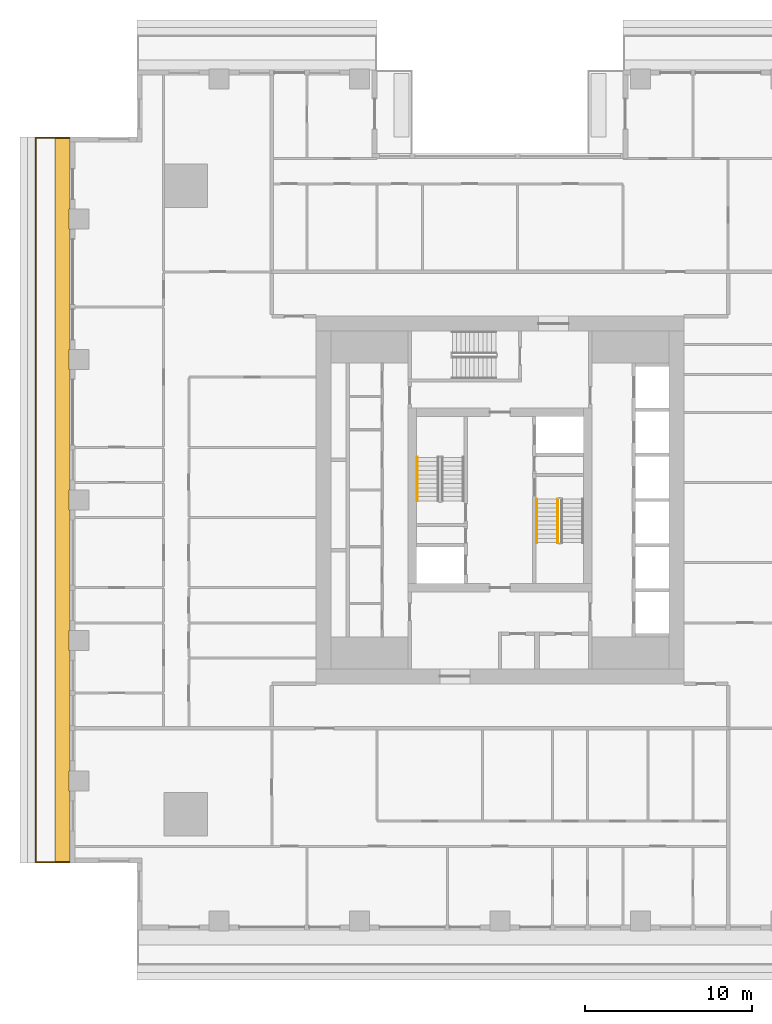
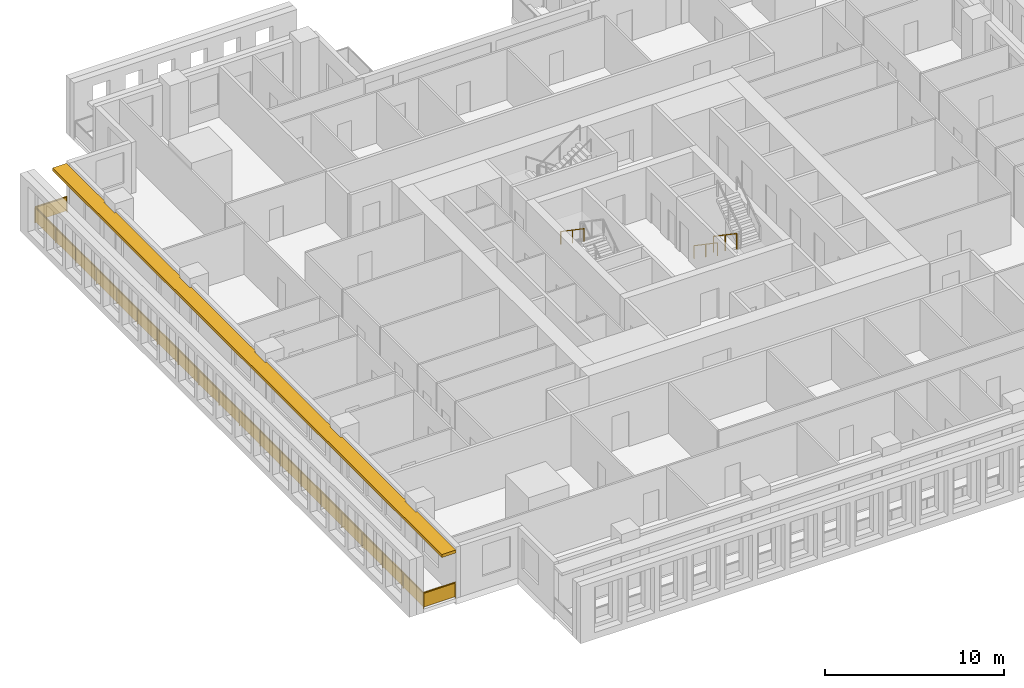
# One storey, part 12 of 16: 4 railings, 1 shading device.
"""IFC4 building model written with IfcOpenShell, lengths in metres."""

import ifcopenshell
import ifcopenshell.guid

model = None  # the IFC model being written
_history = None  # IfcOwnerHistory: only IFC2X3 demands one
_inside = {}  # id of a spatial element -> (the spatial element, [elements in it])
_under = {}  # id of a project, library or spatial element -> (it, [spatial elements below it])
_declared = {}  # id of a project -> (the project, [libraries it declares])
_typed = {}  # id of a type object -> (the type object, [elements of that type])
_made_of = {}  # id of a material, layer set ... -> (it, [elements and type objects made of it])


def new_model(schema):
    """Start an empty IFC model of exactly this schema.

    Asked for "IFC4X3", IfcOpenShell would pick the latest addendum, in which some entities
    have other attributes; the version numbers below select the first issue.
    IFC2X3 requires an IfcOwnerHistory on every rooted entity: one is made here for all.
    """
    global model, _history
    if schema == "IFC4X3":
        model = ifcopenshell.file(schema_version=(4, 3, 0, 0))
    else:
        model = ifcopenshell.file(schema=schema)
    _inside.clear()
    _under.clear()
    _declared.clear()
    _typed.clear()
    _made_of.clear()
    _history = None
    if model.schema == "IFC2X3":
        org = make("IfcOrganization", Name="unknown")
        user = make(
            "IfcPersonAndOrganization",
            ThePerson=make("IfcPerson", FamilyName="unknown"),
            TheOrganization=org,
        )
        app = make(
            "IfcApplication",
            ApplicationDeveloper=org,
            Version="unknown",
            ApplicationFullName="unknown",
            ApplicationIdentifier="unknown",
        )
        _history = make(
            "IfcOwnerHistory",
            OwningUser=user,
            OwningApplication=app,
            ChangeAction="ADDED",
            CreationDate=0,
        )
    return model


def make(cls, **values):
    """One entity of the class cls with the attributes given. An attribute that is None is left unset."""
    return model.create_entity(
        cls, **{name: value for name, value in values.items() if value is not None}
    )


def rooted(cls, **values):
    """An entity with a GlobalId (a new one), such as an element, a storey or a relation."""
    return make(cls, GlobalId=ifcopenshell.guid.new(), OwnerHistory=_history, **values)


def si_unit(unit_type, name, prefix=None):
    """IfcSIUnit, for example si_unit("LENGTHUNIT", "METRE", prefix="MILLI")."""
    return make("IfcSIUnit", UnitType=unit_type, Prefix=prefix, Name=name)


def assignment(units):
    """IfcUnitAssignment: the units of a project."""
    return None if units is None else make("IfcUnitAssignment", Units=units)


def point(xyz):
    """IfcCartesianPoint."""
    return None if xyz is None else make("IfcCartesianPoint", Coordinates=xyz)


def direction(xyz):
    """IfcDirection."""
    return None if xyz is None else make("IfcDirection", DirectionRatios=xyz)


def frame(location, z_axis=None, x_axis=None):
    """IfcAxis2Placement3D, a coordinate frame: its origin and axes. An axis left out is left unset."""
    return make(
        "IfcAxis2Placement3D",
        Location=point(location),
        Axis=direction(z_axis),
        RefDirection=direction(x_axis),
    )


def frame_2d(location, x_axis=None):
    """IfcAxis2Placement2D, a coordinate frame in the plane: its origin and x axis."""
    return make(
        "IfcAxis2Placement2D", Location=point(location), RefDirection=direction(x_axis)
    )


def origin():
    """The frame at (0, 0, 0) with its axes left unset."""
    return frame((0.0, 0.0, 0.0))


def origin_2d():
    """The frame at (0, 0) in the plane with its x axis left unset."""
    return frame_2d((0.0, 0.0))


def place(relative_to, where):
    """IfcLocalPlacement: puts the frame where relative to a parent placement (None: the world)."""
    return make(
        "IfcLocalPlacement", PlacementRelTo=relative_to, RelativePlacement=where
    )


def context(
    kind, dimensions, precision=None, world=None, true_north=None, identifier=None
):
    """IfcGeometricRepresentationContext, for example the 3D "Model" context."""
    return make(
        "IfcGeometricRepresentationContext",
        ContextIdentifier=identifier,
        ContextType=kind,
        CoordinateSpaceDimension=dimensions,
        Precision=precision,
        WorldCoordinateSystem=world,
        TrueNorth=true_north,
    )


def subcontext(parent, identifier, kind, view, scale=None):
    """IfcGeometricRepresentationSubContext, for example "Body" below "Model"."""
    return make(
        "IfcGeometricRepresentationSubContext",
        ContextIdentifier=identifier,
        ContextType=kind,
        ParentContext=parent,
        TargetScale=scale,
        TargetView=view,
    )


def project(units=None, contexts=None):
    """IfcProject with its units and contexts."""
    return rooted(
        "IfcProject",
        Name="project",
        RepresentationContexts=contexts,
        UnitsInContext=assignment(units),
    )


def spatial(cls, under=None, at=None, **own):
    """A site, building, storey or space (cls), placed at a placement, below another one or the project."""
    s = rooted(cls, ObjectPlacement=at, **own)
    if under is not None:
        _under.setdefault(under.id(), (under, []))[1].append(s)
    return s


def polyline(points):
    """IfcPolyline through the points."""
    return make("IfcPolyline", Points=[point(p) for p in points])


def profile(cls, at=None, kind="AREA", **sizes):
    """A parametric profile (cls). Its sizes go by their IFC names, for example OverallWidth=200.0."""
    return make(cls, ProfileType=kind, Position=at, **sizes)


def rectangle(**sizes):
    """IfcRectangleProfileDef."""
    return profile("IfcRectangleProfileDef", **sizes)


def outline(outer, holes=None, kind="AREA"):
    """IfcArbitraryClosedProfileDef: a profile drawn as a closed curve; with holes, ...WithVoids."""
    if holes is None:
        return make("IfcArbitraryClosedProfileDef", ProfileType=kind, OuterCurve=outer)
    return make(
        "IfcArbitraryProfileDefWithVoids",
        ProfileType=kind,
        OuterCurve=outer,
        InnerCurves=holes,
    )


def extrude(swept, where, along, depth):
    """IfcExtrudedAreaSolid: the profile swept, set in the frame where, extruded along a direction by depth."""
    return make(
        "IfcExtrudedAreaSolid",
        SweptArea=swept,
        Position=where,
        ExtrudedDirection=direction(along),
        Depth=depth,
    )


def shape(context_of_items, identifier, shape_type, items):
    """IfcShapeRepresentation: the items that make up one representation, for example the "Body"."""
    return make(
        "IfcShapeRepresentation",
        ContextOfItems=context_of_items,
        RepresentationIdentifier=identifier,
        RepresentationType=shape_type,
        Items=items,
    )


def material(Name=None, Category=None):
    """IfcMaterial."""
    return make("IfcMaterial", Name=Name, Category=Category)


def layer(
    of_material, thickness, ventilated=None, Name=None, Category=None, Priority=None
):
    """IfcMaterialLayer: one layer of a wall or slab, of a material (None: an air gap)."""
    return make(
        "IfcMaterialLayer",
        Material=of_material,
        LayerThickness=thickness,
        IsVentilated=ventilated,
        Name=Name,
        Category=Category,
        Priority=Priority,
    )


def layer_set(layers, Name=None):
    """IfcMaterialLayerSet."""
    return make("IfcMaterialLayerSet", MaterialLayers=layers, LayerSetName=Name)


def made_of(thing, what):
    """Note that an element or type object is made of a material, layer set ...; save() writes the relation."""
    if what is not None:
        _made_of.setdefault(what.id(), (what, []))[1].append(thing)
    return thing


def type_object(cls, material=None, **own):
    """A type object (cls), such as IfcWallType, which elements share."""
    return made_of(rooted(cls, **own), material)


def element(
    cls,
    number,
    at=None,
    inside=None,
    cuts=None,
    type_object=None,
    material=None,
    context=None,
    identifier="Body",
    shape_type=None,
    held_by="IfcProductDefinitionShape",
    body=None,
    shapes=None,
    **own,
):
    """One element of the class cls, such as IfcWall. Its Tag is "e" and its number.

    at: its placement. inside: the storey or other place that contains it. cuts: it is an
    opening in that element (IfcRelVoidsElement). A single representation is given by context,
    identifier, shape_type and body (its items); several are given by shapes. held_by: the class
    of the entity that holds the representations. save() writes the other relations.
    """
    e = rooted(cls, Tag="e%d" % number, ObjectPlacement=at, **own)
    if body is not None:
        shapes = [shape(context, identifier, shape_type, body)]
    if shapes is not None:
        e.Representation = make(held_by, Representations=shapes)
    if inside is not None:
        _inside.setdefault(inside.id(), (inside, []))[1].append(e)
    if cuts is not None:
        rooted(
            "IfcRelVoidsElement", RelatingBuildingElement=cuts, RelatedOpeningElement=e
        )
    if type_object is not None:
        _typed.setdefault(type_object.id(), (type_object, []))[1].append(e)
    return made_of(e, material)


def aggregate(whole, parts):
    """IfcRelAggregates: a whole, such as a stair, and the parts it consists of."""
    return rooted("IfcRelAggregates", RelatingObject=whole, RelatedObjects=parts)


def save(model, path):
    """Write the relations noted so far, then the file.

    IfcRelAggregates (storeys below a building ...), IfcRelContainedInSpatialStructure (elements
    in a storey), IfcRelDefinesByType, IfcRelAssociatesMaterial and IfcRelDeclares: one each for
    every whole, place, type object, material and project.
    """
    for whole, parts in _under.values():
        aggregate(whole, parts)
    for where, things in _inside.values():
        rooted(
            "IfcRelContainedInSpatialStructure",
            RelatedElements=things,
            RelatingStructure=where,
        )
    for kind, things in _typed.values():
        rooted("IfcRelDefinesByType", RelatedObjects=things, RelatingType=kind)
    for what, things in _made_of.values():
        rooted("IfcRelAssociatesMaterial", RelatedObjects=things, RelatingMaterial=what)
    for by, libraries in _declared.values():
        rooted("IfcRelDeclares", RelatingContext=by, RelatedDefinitions=libraries)
    model.write(path)


model = new_model("IFC4")

# Units and contexts
model_context = context("Model", 3, precision=1e-05, world=origin(), true_north=direction((0.0, 1.0)))
body_context = subcontext(model_context, "Body", "Model", "MODEL_VIEW")
ifc_project = project(units=[si_unit("LENGTHUNIT", "METRE"), si_unit("AREAUNIT", "SQUARE_METRE"), si_unit("VOLUMEUNIT", "CUBIC_METRE"), si_unit("PLANEANGLEUNIT", "RADIAN"), si_unit("MASSUNIT", "GRAM", prefix="KILO")], contexts=[model_context])

# Site, building, storey
site_placement = place(None, origin())
site = spatial("IfcSite", under=ifc_project, at=site_placement, CompositionType="ELEMENT")
building_placement = place(site_placement, origin())
building = spatial("IfcBuilding", under=site, at=building_placement, Name="Khepri Terraces", CompositionType="ELEMENT")
storey_placement = place(building_placement, frame((0.0, 0.0, 149.39990234375)))
storey = spatial("IfcBuildingStorey", under=building, at=storey_placement, Name="L35", CompositionType="ELEMENT", Elevation=149.39990234375)

# Railings
ifc_material_1 = material(Name="Stainless steel grade 316", Category="steel")
railing_type_1 = type_object("IfcRailingType", Name="GRD-BAL-1100", PredefinedType="GUARDRAIL", material=ifc_material_1)
railing_1_placement = place(storey_placement, frame((-25.719970703125, 21.669921875, 0.0)))
element("IfcRailing", 1, at=railing_1_placement, inside=storey, type_object=railing_type_1, Name="Balcony guard L35 W", PredefinedType="GUARDRAIL", context=body_context, shape_type="SweptSolid", body=[
    extrude(rectangle(XDim=0.050048828125, YDim=0.06005859375, at=origin_2d()), frame((0.0, 0.0, 1.070068359375), z_axis=(-1.0, 0.0, 0.0), x_axis=(0.0, -1.0, 0.0)), (0.0, 0.0, 1.0), 2.050048828125),
    extrude(rectangle(XDim=2.0, YDim=0.011962890625, at=origin_2d()), frame((-1.02490234375, 0.0, 0.10009765625), z_axis=(0.0, 0.0, 1.0), x_axis=(-1.0, 0.0, 0.0)), (0.0, 0.0, 1.0), 0.93994140625),
    extrude(rectangle(XDim=0.050048828125, YDim=0.06005859375, at=origin_2d()), frame((-2.050048828125, 0.0, 1.070068359375), z_axis=(0.0, -1.0, 0.0), x_axis=(1.0, 0.0, 0.0)), (0.0, 0.0, 1.0), 43.33984375),
    extrude(rectangle(XDim=2.23095703125, YDim=0.011962890625, at=origin_2d()), frame((-2.050048828125, -1.140625, 0.10009765625), z_axis=(0.0, 0.0, 1.0), x_axis=(0.0, -1.0, 0.0)), (0.0, 0.0, 1.0), 0.93994140625),
    extrude(rectangle(XDim=2.23095703125, YDim=0.011962890625, at=origin_2d()), frame((-2.050048828125, -3.421630859375, 0.10009765625), z_axis=(0.0, 0.0, 1.0), x_axis=(0.0, -1.0, 0.0)), (0.0, 0.0, 1.0), 0.93994140625),
    extrude(rectangle(XDim=2.23095703125, YDim=0.011962890625, at=origin_2d()), frame((-2.050048828125, -5.70263671875, 0.10009765625), z_axis=(0.0, 0.0, 1.0), x_axis=(0.0, -1.0, 0.0)), (0.0, 0.0, 1.0), 0.93994140625),
    extrude(rectangle(XDim=2.23095703125, YDim=0.011962890625, at=origin_2d()), frame((-2.050048828125, -7.983642578125, 0.10009765625), z_axis=(0.0, 0.0, 1.0), x_axis=(0.0, -1.0, 0.0)), (0.0, 0.0, 1.0), 0.93994140625),
    extrude(rectangle(XDim=2.23095703125, YDim=0.011962890625, at=origin_2d()), frame((-2.050048828125, -10.2646484375, 0.10009765625), z_axis=(0.0, 0.0, 1.0), x_axis=(0.0, -1.0, 0.0)), (0.0, 0.0, 1.0), 0.93994140625),
    extrude(rectangle(XDim=2.23095703125, YDim=0.011962890625, at=origin_2d()), frame((-2.050048828125, -12.545654296875, 0.10009765625), z_axis=(0.0, 0.0, 1.0), x_axis=(0.0, -1.0, 0.0)), (0.0, 0.0, 1.0), 0.93994140625),
    extrude(rectangle(XDim=2.23095703125, YDim=0.011962890625, at=origin_2d()), frame((-2.050048828125, -14.826904296875, 0.10009765625), z_axis=(0.0, 0.0, 1.0), x_axis=(0.0, -1.0, 0.0)), (0.0, 0.0, 1.0), 0.93994140625),
    extrude(rectangle(XDim=2.23095703125, YDim=0.011962890625, at=origin_2d()), frame((-2.050048828125, -17.10791015625, 0.10009765625), z_axis=(0.0, 0.0, 1.0), x_axis=(0.0, -1.0, 0.0)), (0.0, 0.0, 1.0), 0.93994140625),
    extrude(rectangle(XDim=2.23095703125, YDim=0.011962890625, at=origin_2d()), frame((-2.050048828125, -19.388916015625, 0.10009765625), z_axis=(0.0, 0.0, 1.0), x_axis=(0.0, -1.0, 0.0)), (0.0, 0.0, 1.0), 0.93994140625),
    extrude(rectangle(XDim=2.23095703125, YDim=0.011962890625, at=origin_2d()), frame((-2.050048828125, -21.669921875, 0.10009765625), z_axis=(0.0, 0.0, 1.0), x_axis=(0.0, -1.0, 0.0)), (0.0, 0.0, 1.0), 0.93994140625),
    extrude(rectangle(XDim=2.23095703125, YDim=0.011962890625, at=origin_2d()), frame((-2.050048828125, -23.950927734375, 0.10009765625), z_axis=(0.0, 0.0, 1.0), x_axis=(0.0, -1.0, 0.0)), (0.0, 0.0, 1.0), 0.93994140625),
    extrude(rectangle(XDim=2.23095703125, YDim=0.011962890625, at=origin_2d()), frame((-2.050048828125, -26.23193359375, 0.10009765625), z_axis=(0.0, 0.0, 1.0), x_axis=(0.0, -1.0, 0.0)), (0.0, 0.0, 1.0), 0.93994140625),
    extrude(rectangle(XDim=2.23095703125, YDim=0.011962890625, at=origin_2d()), frame((-2.050048828125, -28.512939453125, 0.10009765625), z_axis=(0.0, 0.0, 1.0), x_axis=(0.0, -1.0, 0.0)), (0.0, 0.0, 1.0), 0.93994140625),
    extrude(rectangle(XDim=2.23095703125, YDim=0.011962890625, at=origin_2d()), frame((-2.050048828125, -30.794189453125, 0.10009765625), z_axis=(0.0, 0.0, 1.0), x_axis=(0.0, -1.0, 0.0)), (0.0, 0.0, 1.0), 0.93994140625),
    extrude(rectangle(XDim=2.23095703125, YDim=0.011962890625, at=origin_2d()), frame((-2.050048828125, -33.0751953125, 0.10009765625), z_axis=(0.0, 0.0, 1.0), x_axis=(0.0, -1.0, 0.0)), (0.0, 0.0, 1.0), 0.93994140625),
    extrude(rectangle(XDim=2.23095703125, YDim=0.011962890625, at=origin_2d()), frame((-2.050048828125, -35.356201171875, 0.10009765625), z_axis=(0.0, 0.0, 1.0), x_axis=(0.0, -1.0, 0.0)), (0.0, 0.0, 1.0), 0.93994140625),
    extrude(rectangle(XDim=2.23095703125, YDim=0.011962890625, at=origin_2d()), frame((-2.050048828125, -37.63720703125, 0.10009765625), z_axis=(0.0, 0.0, 1.0), x_axis=(0.0, -1.0, 0.0)), (0.0, 0.0, 1.0), 0.93994140625),
    extrude(rectangle(XDim=2.23095703125, YDim=0.011962890625, at=origin_2d()), frame((-2.050048828125, -39.918212890625, 0.10009765625), z_axis=(0.0, 0.0, 1.0), x_axis=(0.0, -1.0, 0.0)), (0.0, 0.0, 1.0), 0.93994140625),
    extrude(rectangle(XDim=2.23095703125, YDim=0.011962890625, at=origin_2d()), frame((-2.050048828125, -42.19921875, 0.10009765625), z_axis=(0.0, 0.0, 1.0), x_axis=(0.0, -1.0, 0.0)), (0.0, 0.0, 1.0), 0.93994140625),
    extrude(rectangle(XDim=0.050048828125, YDim=0.06005859375, at=origin_2d()), frame((-2.050048828125, -43.33984375, 1.070068359375), z_axis=(1.0, 0.0, 0.0), x_axis=(0.0, 1.0, 0.0)), (0.0, 0.0, 1.0), 2.050048828125),
    extrude(rectangle(XDim=2.0, YDim=0.011962890625, at=origin_2d()), frame((-1.02490234375, -43.33984375, 0.10009765625), z_axis=(0.0, 0.0, 1.0), x_axis=(1.0, 0.0, 0.0)), (0.0, 0.0, 1.0), 0.93994140625),
    extrude(rectangle(XDim=0.050048828125, YDim=0.050048828125, at=origin_2d()), origin(), (0.0, 0.0, 1.0), 1.0400390625),
    extrude(rectangle(XDim=0.050048828125, YDim=0.050048828125, at=origin_2d()), frame((-2.050048828125, 0.0, 0.0)), (0.0, 0.0, 1.0), 1.0400390625),
    extrude(rectangle(XDim=0.050048828125, YDim=0.050048828125, at=origin_2d()), frame((-2.050048828125, -2.281005859375, 0.0)), (0.0, 0.0, 1.0), 1.0400390625),
    extrude(rectangle(XDim=0.050048828125, YDim=0.050048828125, at=origin_2d()), frame((-2.050048828125, -4.56201171875, 0.0)), (0.0, 0.0, 1.0), 1.0400390625),
    extrude(rectangle(XDim=0.050048828125, YDim=0.050048828125, at=origin_2d()), frame((-2.050048828125, -6.843017578125, 0.0)), (0.0, 0.0, 1.0), 1.0400390625),
    extrude(rectangle(XDim=0.050048828125, YDim=0.050048828125, at=origin_2d()), frame((-2.050048828125, -9.124267578125, 0.0)), (0.0, 0.0, 1.0), 1.0400390625),
    extrude(rectangle(XDim=0.050048828125, YDim=0.050048828125, at=origin_2d()), frame((-2.050048828125, -11.4052734375, 0.0)), (0.0, 0.0, 1.0), 1.0400390625),
    extrude(rectangle(XDim=0.050048828125, YDim=0.050048828125, at=origin_2d()), frame((-2.050048828125, -13.686279296875, 0.0)), (0.0, 0.0, 1.0), 1.0400390625),
    extrude(rectangle(XDim=0.050048828125, YDim=0.050048828125, at=origin_2d()), frame((-2.050048828125, -15.96728515625, 0.0)), (0.0, 0.0, 1.0), 1.0400390625),
    extrude(rectangle(XDim=0.050048828125, YDim=0.050048828125, at=origin_2d()), frame((-2.050048828125, -18.248291015625, 0.0)), (0.0, 0.0, 1.0), 1.0400390625),
    extrude(rectangle(XDim=0.050048828125, YDim=0.050048828125, at=origin_2d()), frame((-2.050048828125, -20.529296875, 0.0)), (0.0, 0.0, 1.0), 1.0400390625),
    extrude(rectangle(XDim=0.050048828125, YDim=0.050048828125, at=origin_2d()), frame((-2.050048828125, -22.810546875, 0.0)), (0.0, 0.0, 1.0), 1.0400390625),
    extrude(rectangle(XDim=0.050048828125, YDim=0.050048828125, at=origin_2d()), frame((-2.050048828125, -25.091552734375, 0.0)), (0.0, 0.0, 1.0), 1.0400390625),
    extrude(rectangle(XDim=0.050048828125, YDim=0.050048828125, at=origin_2d()), frame((-2.050048828125, -27.37255859375, 0.0)), (0.0, 0.0, 1.0), 1.0400390625),
    extrude(rectangle(XDim=0.050048828125, YDim=0.050048828125, at=origin_2d()), frame((-2.050048828125, -29.653564453125, 0.0)), (0.0, 0.0, 1.0), 1.0400390625),
    extrude(rectangle(XDim=0.050048828125, YDim=0.050048828125, at=origin_2d()), frame((-2.050048828125, -31.9345703125, 0.0)), (0.0, 0.0, 1.0), 1.0400390625),
    extrude(rectangle(XDim=0.050048828125, YDim=0.050048828125, at=origin_2d()), frame((-2.050048828125, -34.215576171875, 0.0)), (0.0, 0.0, 1.0), 1.0400390625),
    extrude(rectangle(XDim=0.050048828125, YDim=0.050048828125, at=origin_2d()), frame((-2.050048828125, -36.496826171875, 0.0)), (0.0, 0.0, 1.0), 1.0400390625),
    extrude(rectangle(XDim=0.050048828125, YDim=0.050048828125, at=origin_2d()), frame((-2.050048828125, -38.77783203125, 0.0)), (0.0, 0.0, 1.0), 1.0400390625),
    extrude(rectangle(XDim=0.050048828125, YDim=0.050048828125, at=origin_2d()), frame((-2.050048828125, -41.058837890625, 0.0)), (0.0, 0.0, 1.0), 1.0400390625),
    extrude(rectangle(XDim=0.050048828125, YDim=0.050048828125, at=origin_2d()), frame((-2.050048828125, -43.33984375, 0.0)), (0.0, 0.0, 1.0), 1.0400390625),
    extrude(rectangle(XDim=0.050048828125, YDim=0.050048828125, at=origin_2d()), frame((0.0, -43.33984375, 0.0)), (0.0, 0.0, 1.0), 1.0400390625),
])
ifc_material_2 = material(Name="Stainless steel 316", Category="steel")
railing_type_2 = type_object("IfcRailingType", Name="RL-CORE-GUARD", PredefinedType="GUARDRAIL", material=ifc_material_2)
railing_2_placement = place(storey_placement, frame((3.449951171875, 0.050048828125, 0.177490234375)))
element("IfcRailing", 2, at=railing_2_placement, inside=storey, type_object=railing_type_2, Name="L35 ST-2 stair guard 1", PredefinedType="GUARDRAIL", context=body_context, shape_type="SweptSolid", body=[
    extrude(rectangle(XDim=0.050048828125, YDim=0.06005859375, at=origin_2d()), frame((0.0, 0.0, 1.070068359375), z_axis=(0.0, -0.826240473404, 0.563317565952), x_axis=(1.0, 0.0, 0.0)), (0.0, 0.0, 1.0), 3.14697265625),
    extrude(rectangle(XDim=0.050048828125, YDim=0.050048828125, at=origin_2d()), origin(), (0.0, 0.0, 1.0), 1.0400390625),
    extrude(rectangle(XDim=0.050048828125, YDim=0.050048828125, at=origin_2d()), frame((0.0, -1.300048828125, 0.88623046875)), (0.0, 0.0, 1.0), 1.0400390625),
    extrude(rectangle(XDim=0.050048828125, YDim=0.050048828125, at=origin_2d()), frame((0.0, -2.60009765625, 1.772705078125)), (0.0, 0.0, 1.0), 1.0400390625),
])
railing_type_3 = type_object("IfcRailingType", Name="RL-CORE-HANDRAIL", PredefinedType="HANDRAIL", material=ifc_material_2)
for number, where, name in (
    (3, (-4.949951171875, 2.550048828125, 2.12744140625), "L35 ST-1 stair handrail 2"),
    (4, (2.199951171875, 0.050048828125, 0.177490234375), "L35 ST-2 stair handrail 1"),
):
    element("IfcRailing", number, at=place(storey_placement, frame(where)), inside=storey, type_object=railing_type_3, Name=name, PredefinedType="HANDRAIL", context=body_context, shape_type="SweptSolid", body=[
        extrude(rectangle(XDim=0.050048828125, YDim=0.050048828125, at=origin_2d()), frame((0.0, 0.0, 0.875), z_axis=(0.0, -0.826240473404, 0.563317565952), x_axis=(1.0, 0.0, 0.0)), (0.0, 0.0, 1.0), 3.14697265625),
        extrude(rectangle(XDim=0.050048828125, YDim=0.050048828125, at=origin_2d()), origin(), (0.0, 0.0, 1.0), 0.849853515625),
        extrude(rectangle(XDim=0.050048828125, YDim=0.050048828125, at=origin_2d()), frame((0.0, -1.300048828125, 0.88623046875)), (0.0, 0.0, 1.0), 0.849853515625),
        extrude(rectangle(XDim=0.050048828125, YDim=0.050048828125, at=origin_2d()), frame((0.0, -2.60009765625, 1.772705078125)), (0.0, 0.0, 1.0), 0.849853515625),
    ])

# Shading device
ifc_material_3 = material(Name="Precast concrete C50/60 warm stone", Category="masonry")
ifc_layer = layer(ifc_material_3, 0.199951171875, Name="Precast concrete C50/60 warm stone", Category="masonry")
ifc_layer_set = layer_set([ifc_layer], Name="Precast concrete C50/60 warm stone")
shading_device_type = type_object("IfcShadingDeviceType", Name="SSH-BAND-STONE-200", PredefinedType="USERDEFINED", material=ifc_layer_set)
shading_device_placement = place(storey_placement, frame((0.0, 0.0, 3.10009765625)))
element("IfcShadingDevice", 5, at=shading_device_placement, inside=storey, type_object=shading_device_type, Name="Sunshade band L35 W", ObjectType="SUNSHADE", PredefinedType="USERDEFINED", context=body_context, shape_type="SweptSolid", body=[
    extrude(outline(polyline([(-25.719970703125, 17.39990234375), (-25.719970703125, 21.719970703125), (-26.6201171875, 21.719970703125), (-26.6201171875, -21.719970703125), (-25.719970703125, -21.719970703125), (-25.719970703125, -17.39990234375), (-25.800048828125, -17.39990234375), (-25.800048828125, -16.199951171875), (-25.719970703125, -16.199951171875), (-25.719970703125, -9.0), (-25.800048828125, -9.0), (-25.800048828125, -7.800048828125), (-25.719970703125, -7.800048828125), (-25.719970703125, -0.60009765625), (-25.800048828125, -0.60009765625), (-25.800048828125, 0.60009765625), (-25.719970703125, 0.60009765625), (-25.719970703125, 7.800048828125), (-25.800048828125, 7.800048828125), (-25.800048828125, 9.0), (-25.719970703125, 9.0), (-25.719970703125, 16.199951171875), (-25.800048828125, 16.199951171875), (-25.800048828125, 17.39990234375), (-25.719970703125, 17.39990234375)])), origin(), (0.0, 0.0, 1.0), 0.199951171875),
])

save(model, "model.ifc")
